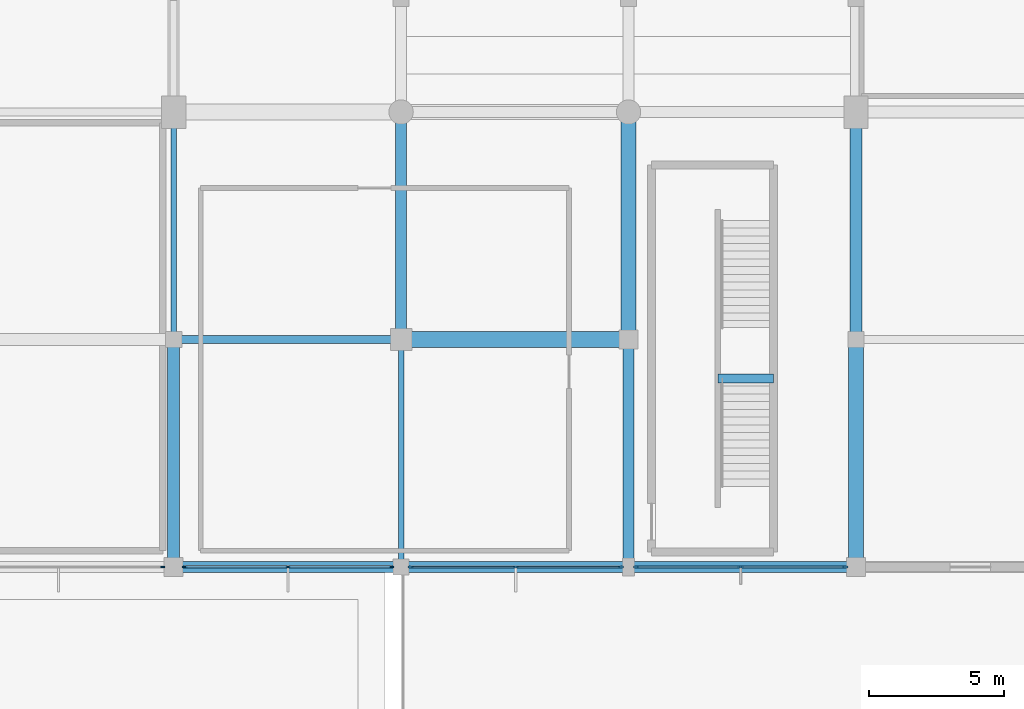
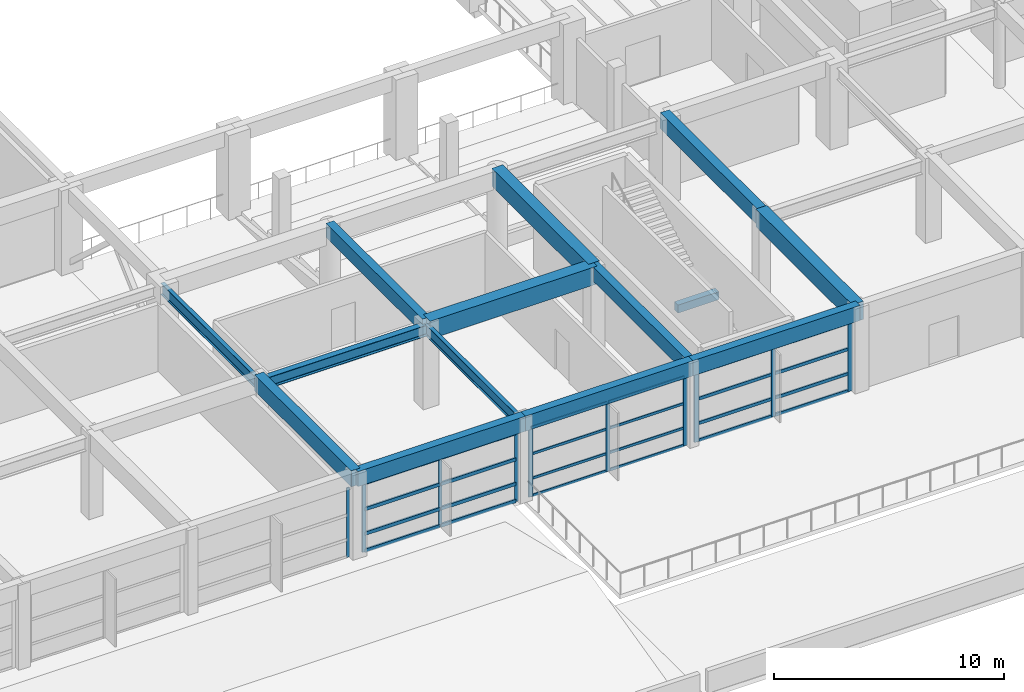
# One storey, part 14 of 60: 34 members, 14 beams, 4 elements without a shape of their own.
"""IFC4 building model written with IfcOpenShell, lengths in metres."""

from ifc_helpers import new_model, si_unit, direction, frame, origin, origin_2d, place, context, subcontext, project, spatial, rectangle, i_section, extrude, material, material_profile, profile_set, type_object, element, aggregate, save


model = new_model("IFC4")

# Units and contexts
model_context = context("Model", 3, precision=1e-05, world=origin(), true_north=direction((0.0, 1.0)))
body_context = subcontext(model_context, "Body", "Model", "MODEL_VIEW")
ifc_project = project(units=[si_unit("LENGTHUNIT", "METRE"), si_unit("AREAUNIT", "SQUARE_METRE"), si_unit("VOLUMEUNIT", "CUBIC_METRE"), si_unit("PLANEANGLEUNIT", "RADIAN"), si_unit("MASSUNIT", "GRAM", prefix="KILO")], contexts=[model_context])

# Site, building, storey
site_placement = place(None, origin())
site = spatial("IfcSite", under=ifc_project, at=site_placement, CompositionType="ELEMENT")
building_placement = place(site_placement, origin())
building = spatial("IfcBuilding", under=site, at=building_placement, Name="Xuanlan Plaza Opera House", CompositionType="ELEMENT")
storey_placement = place(building_placement, frame((0.0, 0.0, 9.89990234375)))
storey = spatial("IfcBuildingStorey", under=building, at=storey_placement, Name="L02", CompositionType="ELEMENT", Elevation=9.89990234375)

# Curtain wall, member
ifc_material_1 = material(Name="Anodised Aluminium 6063-T6 and Low-E Glass", Category="aluminium")
curtain_wall_type_1 = type_object("IfcCurtainWallType", Name="ENV-CW-CW-06", PredefinedType="USERDEFINED", material=ifc_material_1)
curtain_wall_1_placement = place(storey_placement, origin())
curtain_wall_1 = element("IfcCurtainWall", 1, at=curtain_wall_1_placement, inside=storey, type_object=curtain_wall_type_1, Name="Acoustic Glazed Wall L02-007", ObjectType="ACOUSTIC GLAZED WALL", PredefinedType="USERDEFINED")
ifc_material_2 = material(Name="Anodised Aluminium 6063-T6", Category="aluminium")
ifc_material_profile_1 = material_profile(ifc_material_2, rectangle(XDim=0.06494140625, YDim=0.159912109375, at=origin_2d()), Name="ALU-M 65x160")
ifc_profile_set_1 = profile_set([ifc_material_profile_1], Name="Anodised Aluminium 6063-T6")
member_type_1 = type_object("IfcMemberType", Name="ENV-CWM-01", PredefinedType="MULLION", material=ifc_profile_set_1)
member_1_placement = place(storey_placement, frame((66.797607421875, 16.800048828125, 0.0), z_axis=(0.0, 0.0, 1.0), x_axis=(0.0, 1.0, 0.0)))
member_1 = element("IfcMember", 2, at=member_1_placement, type_object=member_type_1, Name="CW-06 mullion 3", PredefinedType="MULLION", context=body_context, shape_type="SweptSolid", body=[
    extrude(rectangle(XDim=0.06494140625, YDim=0.159912109375, at=origin_2d()), origin(), (0.0, 0.0, 1.0), 3.68017578125),
])
aggregate(curtain_wall_1, [member_1])

# Curtain wall, members
curtain_wall_type_2 = type_object("IfcCurtainWallType", Name="ENV-CW-CW-05", PredefinedType="USERDEFINED", material=ifc_material_1)
curtain_wall_2_placement = place(storey_placement, origin())
curtain_wall_2 = element("IfcCurtainWall", 3, at=curtain_wall_2_placement, inside=storey, type_object=curtain_wall_type_2, Name="Acoustic Glazed Wall L02-008", ObjectType="ACOUSTIC GLAZED WALL", PredefinedType="USERDEFINED")
ifc_material_profile_2 = material_profile(ifc_material_2, rectangle(XDim=0.070068359375, YDim=0.179931640625, at=origin_2d()), Name="ALU-M 70x180")
ifc_profile_set_2 = profile_set([ifc_material_profile_2], Name="Anodised Aluminium 6063-T6")
member_type_2 = type_object("IfcMemberType", Name="ENV-CWM-02", PredefinedType="MULLION", material=ifc_profile_set_2)
member_2_placement = place(storey_placement, frame((67.60498046875, 16.800048828125, 0.0), z_axis=(0.0, 0.0, 1.0), x_axis=(0.0, 1.0, 0.0)))
member_2 = element("IfcMember", 4, at=member_2_placement, type_object=member_type_2, Name="CW-05 mullion 1", PredefinedType="MULLION", context=body_context, shape_type="SweptSolid", body=[
    extrude(rectangle(XDim=0.070068359375, YDim=0.179931640625, at=origin_2d()), origin(), (0.0, 0.0, 1.0), 3.68017578125),
])
member_3_placement = place(storey_placement, frame((71.425048828125, 16.800048828125, 0.0), z_axis=(0.0, 0.0, 1.0), x_axis=(0.0, 1.0, 0.0)))
member_3 = element("IfcMember", 5, at=member_3_placement, type_object=member_type_2, Name="CW-05 mullion 2", PredefinedType="MULLION", context=body_context, shape_type="SweptSolid", body=[
    extrude(rectangle(XDim=0.070068359375, YDim=0.179931640625, at=origin_2d()), origin(), (0.0, 0.0, 1.0), 3.68017578125),
])
member_4_placement = place(storey_placement, frame((75.2451171875, 16.800048828125, 0.0), z_axis=(0.0, 0.0, 1.0), x_axis=(0.0, 1.0, 0.0)))
member_4 = element("IfcMember", 6, at=member_4_placement, type_object=member_type_2, Name="CW-05 mullion 3", PredefinedType="MULLION", context=body_context, shape_type="SweptSolid", body=[
    extrude(rectangle(XDim=0.070068359375, YDim=0.179931640625, at=origin_2d()), origin(), (0.0, 0.0, 1.0), 3.68017578125),
])

curtain_wall_3_placement = place(storey_placement, origin())
curtain_wall_3 = element("IfcCurtainWall", 7, at=curtain_wall_3_placement, inside=storey, type_object=curtain_wall_type_1, Name="Acoustic Glazed Wall L02-009", ObjectType="ACOUSTIC GLAZED WALL", PredefinedType="USERDEFINED")
ifc_material_profile_3 = material_profile(ifc_material_2, rectangle(XDim=0.074951171875, YDim=0.199951171875, at=origin_2d()), Name="ALU-M 75x200")
ifc_profile_set_3 = profile_set([ifc_material_profile_3], Name="Anodised Aluminium 6063-T6")
member_type_3 = type_object("IfcMemberType", Name="ENV-CWM-03", PredefinedType="MULLION", material=ifc_profile_set_3)
member_5_placement = place(storey_placement, frame((75.95751953125, 16.800048828125, 0.0), z_axis=(0.0, 0.0, 1.0), x_axis=(0.0, 1.0, 0.0)))
member_5 = element("IfcMember", 8, at=member_5_placement, type_object=member_type_3, Name="CW-06 mullion 1", PredefinedType="MULLION", context=body_context, shape_type="SweptSolid", body=[
    extrude(rectangle(XDim=0.074951171875, YDim=0.199951171875, at=origin_2d()), origin(), (0.0, 0.0, 1.0), 3.68017578125),
])
member_6_placement = place(storey_placement, frame((79.83740234375, 16.800048828125, 0.0), z_axis=(0.0, 0.0, 1.0), x_axis=(0.0, 1.0, 0.0)))
member_6 = element("IfcMember", 9, at=member_6_placement, type_object=member_type_3, Name="CW-06 mullion 2", PredefinedType="MULLION", context=body_context, shape_type="SweptSolid", body=[
    extrude(rectangle(XDim=0.074951171875, YDim=0.199951171875, at=origin_2d()), origin(), (0.0, 0.0, 1.0), 3.68017578125),
])
member_7_placement = place(storey_placement, frame((83.717529296875, 16.800048828125, 0.0), z_axis=(0.0, 0.0, 1.0), x_axis=(0.0, 1.0, 0.0)))
member_7 = element("IfcMember", 10, at=member_7_placement, type_object=member_type_3, Name="CW-06 mullion 3", PredefinedType="MULLION", context=body_context, shape_type="SweptSolid", body=[
    extrude(rectangle(XDim=0.074951171875, YDim=0.199951171875, at=origin_2d()), origin(), (0.0, 0.0, 1.0), 3.68017578125),
])

curtain_wall_4_placement = place(storey_placement, origin())
curtain_wall_4 = element("IfcCurtainWall", 11, at=curtain_wall_4_placement, inside=storey, type_object=curtain_wall_type_2, Name="Acoustic Glazed Wall L02-010", ObjectType="ACOUSTIC GLAZED WALL", PredefinedType="USERDEFINED")
ifc_material_profile_4 = material_profile(ifc_material_2, rectangle(XDim=0.080078125, YDim=0.219970703125, at=origin_2d()), Name="ALU-M 80x220")
ifc_profile_set_4 = profile_set([ifc_material_profile_4], Name="Anodised Aluminium 6063-T6")
member_type_4 = type_object("IfcMemberType", Name="ENV-CWM-04", PredefinedType="MULLION", material=ifc_profile_set_4)
member_8_placement = place(storey_placement, frame((84.284912109375, 16.800048828125, 0.0), z_axis=(0.0, 0.0, 1.0), x_axis=(0.0, 1.0, 0.0)))
member_8 = element("IfcMember", 12, at=member_8_placement, type_object=member_type_4, Name="CW-05 mullion 1", PredefinedType="MULLION", context=body_context, shape_type="SweptSolid", body=[
    extrude(rectangle(XDim=0.080078125, YDim=0.219970703125, at=origin_2d()), origin(), (0.0, 0.0, 1.0), 3.68017578125),
])
member_9_placement = place(storey_placement, frame((88.137451171875, 16.800048828125, 0.0), z_axis=(0.0, 0.0, 1.0), x_axis=(0.0, 1.0, 0.0)))
member_9 = element("IfcMember", 13, at=member_9_placement, type_object=member_type_4, Name="CW-05 mullion 2", PredefinedType="MULLION", context=body_context, shape_type="SweptSolid", body=[
    extrude(rectangle(XDim=0.080078125, YDim=0.219970703125, at=origin_2d()), origin(), (0.0, 0.0, 1.0), 3.68017578125),
])
member_10_placement = place(storey_placement, frame((91.989990234375, 16.800048828125, 0.0), z_axis=(0.0, 0.0, 1.0), x_axis=(0.0, 1.0, 0.0)))
member_10 = element("IfcMember", 14, at=member_10_placement, type_object=member_type_4, Name="CW-05 mullion 3", PredefinedType="MULLION", context=body_context, shape_type="SweptSolid", body=[
    extrude(rectangle(XDim=0.080078125, YDim=0.219970703125, at=origin_2d()), origin(), (0.0, 0.0, 1.0), 3.68017578125),
])

# Member
ifc_material_profile_5 = material_profile(ifc_material_2, rectangle(XDim=0.070068359375, YDim=0.135009765625, at=origin_2d()), Name="ALU-T 70x135")
ifc_profile_set_5 = profile_set([ifc_material_profile_5], Name="Anodised Aluminium 6063-T6")
member_type_5 = type_object("IfcMemberType", Name="ENV-CWT-02", PredefinedType="USERDEFINED", material=ifc_profile_set_5)
member_11_placement = place(storey_placement, frame((75.9951171875, 16.800048828125, 0.03515625), z_axis=(1.0, 0.0, 0.0), x_axis=(0.0, 1.0, 0.0)))
member_11 = element("IfcMember", 15, at=member_11_placement, type_object=member_type_5, Name="CW-06 transom 1.1", ObjectType="TRANSOM", PredefinedType="USERDEFINED", context=body_context, shape_type="SweptSolid", body=[
    extrude(rectangle(XDim=0.070068359375, YDim=0.135009765625, at=origin_2d()), origin(), (0.0, 0.0, 1.0), 3.804931640625),
])

member_12_placement = place(storey_placement, frame((75.9951171875, 16.800048828125, 0.9501953125), z_axis=(1.0, 0.0, 0.0), x_axis=(0.0, 1.0, 0.0)))
member_12 = element("IfcMember", 16, at=member_12_placement, type_object=member_type_5, Name="CW-06 transom 1.2", ObjectType="TRANSOM", PredefinedType="USERDEFINED", context=body_context, shape_type="SweptSolid", body=[
    extrude(rectangle(XDim=0.070068359375, YDim=0.135009765625, at=origin_2d()), origin(), (0.0, 0.0, 1.0), 3.804931640625),
])

member_13_placement = place(storey_placement, frame((75.9951171875, 16.800048828125, 2.25), z_axis=(1.0, 0.0, 0.0), x_axis=(0.0, 1.0, 0.0)))
member_13 = element("IfcMember", 17, at=member_13_placement, type_object=member_type_5, Name="CW-06 transom 1.3", ObjectType="TRANSOM", PredefinedType="USERDEFINED", context=body_context, shape_type="SweptSolid", body=[
    extrude(rectangle(XDim=0.070068359375, YDim=0.135009765625, at=origin_2d()), origin(), (0.0, 0.0, 1.0), 3.804931640625),
])

member_14_placement = place(storey_placement, frame((75.9951171875, 16.800048828125, 3.64501953125), z_axis=(1.0, 0.0, 0.0), x_axis=(0.0, 1.0, 0.0)))
member_14 = element("IfcMember", 18, at=member_14_placement, type_object=member_type_5, Name="CW-06 transom 1.4", ObjectType="TRANSOM", PredefinedType="USERDEFINED", context=body_context, shape_type="SweptSolid", body=[
    extrude(rectangle(XDim=0.070068359375, YDim=0.135009765625, at=origin_2d()), origin(), (0.0, 0.0, 1.0), 3.804931640625),
])

member_15_placement = place(storey_placement, frame((79.875, 16.800048828125, 0.03515625), z_axis=(1.0, 0.0, 0.0), x_axis=(0.0, 1.0, 0.0)))
member_15 = element("IfcMember", 19, at=member_15_placement, type_object=member_type_5, Name="CW-06 transom 2.1", ObjectType="TRANSOM", PredefinedType="USERDEFINED", context=body_context, shape_type="SweptSolid", body=[
    extrude(rectangle(XDim=0.070068359375, YDim=0.135009765625, at=origin_2d()), origin(), (0.0, 0.0, 1.0), 3.804931640625),
])

member_16_placement = place(storey_placement, frame((79.875, 16.800048828125, 0.9501953125), z_axis=(1.0, 0.0, 0.0), x_axis=(0.0, 1.0, 0.0)))
member_16 = element("IfcMember", 20, at=member_16_placement, type_object=member_type_5, Name="CW-06 transom 2.2", ObjectType="TRANSOM", PredefinedType="USERDEFINED", context=body_context, shape_type="SweptSolid", body=[
    extrude(rectangle(XDim=0.070068359375, YDim=0.135009765625, at=origin_2d()), origin(), (0.0, 0.0, 1.0), 3.804931640625),
])

member_17_placement = place(storey_placement, frame((79.875, 16.800048828125, 2.25), z_axis=(1.0, 0.0, 0.0), x_axis=(0.0, 1.0, 0.0)))
member_17 = element("IfcMember", 21, at=member_17_placement, type_object=member_type_5, Name="CW-06 transom 2.3", ObjectType="TRANSOM", PredefinedType="USERDEFINED", context=body_context, shape_type="SweptSolid", body=[
    extrude(rectangle(XDim=0.070068359375, YDim=0.135009765625, at=origin_2d()), origin(), (0.0, 0.0, 1.0), 3.804931640625),
])

member_18_placement = place(storey_placement, frame((79.875, 16.800048828125, 3.64501953125), z_axis=(1.0, 0.0, 0.0), x_axis=(0.0, 1.0, 0.0)))
member_18 = element("IfcMember", 22, at=member_18_placement, type_object=member_type_5, Name="CW-06 transom 2.4", ObjectType="TRANSOM", PredefinedType="USERDEFINED", context=body_context, shape_type="SweptSolid", body=[
    extrude(rectangle(XDim=0.070068359375, YDim=0.135009765625, at=origin_2d()), origin(), (0.0, 0.0, 1.0), 3.804931640625),
])

aggregate(curtain_wall_3, [member_5, member_6, member_7, member_11, member_12, member_13, member_14, member_15, member_16, member_17, member_18])

ifc_material_profile_6 = material_profile(ifc_material_2, rectangle(XDim=0.080078125, YDim=0.1650390625, at=origin_2d()), Name="ALU-T 80x165")
ifc_profile_set_6 = profile_set([ifc_material_profile_6], Name="Anodised Aluminium 6063-T6")
member_type_6 = type_object("IfcMemberType", Name="ENV-CWT-04", PredefinedType="USERDEFINED", material=ifc_profile_set_6)
member_19_placement = place(storey_placement, frame((84.324951171875, 16.800048828125, 0.0400390625), z_axis=(1.0, 0.0, 0.0), x_axis=(0.0, 1.0, 0.0)))
member_19 = element("IfcMember", 23, at=member_19_placement, type_object=member_type_6, Name="CW-05 transom 1.1", ObjectType="TRANSOM", PredefinedType="USERDEFINED", context=body_context, shape_type="SweptSolid", body=[
    extrude(rectangle(XDim=0.080078125, YDim=0.1650390625, at=origin_2d()), origin(), (0.0, 0.0, 1.0), 3.7724609375),
])

member_20_placement = place(storey_placement, frame((84.324951171875, 16.800048828125, 0.9501953125), z_axis=(1.0, 0.0, 0.0), x_axis=(0.0, 1.0, 0.0)))
member_20 = element("IfcMember", 24, at=member_20_placement, type_object=member_type_6, Name="CW-05 transom 1.2", ObjectType="TRANSOM", PredefinedType="USERDEFINED", context=body_context, shape_type="SweptSolid", body=[
    extrude(rectangle(XDim=0.080078125, YDim=0.1650390625, at=origin_2d()), origin(), (0.0, 0.0, 1.0), 3.7724609375),
])

member_21_placement = place(storey_placement, frame((84.324951171875, 16.800048828125, 2.25), z_axis=(1.0, 0.0, 0.0), x_axis=(0.0, 1.0, 0.0)))
member_21 = element("IfcMember", 25, at=member_21_placement, type_object=member_type_6, Name="CW-05 transom 1.3", ObjectType="TRANSOM", PredefinedType="USERDEFINED", context=body_context, shape_type="SweptSolid", body=[
    extrude(rectangle(XDim=0.080078125, YDim=0.1650390625, at=origin_2d()), origin(), (0.0, 0.0, 1.0), 3.7724609375),
])

member_22_placement = place(storey_placement, frame((84.324951171875, 16.800048828125, 3.64013671875), z_axis=(1.0, 0.0, 0.0), x_axis=(0.0, 1.0, 0.0)))
member_22 = element("IfcMember", 26, at=member_22_placement, type_object=member_type_6, Name="CW-05 transom 1.4", ObjectType="TRANSOM", PredefinedType="USERDEFINED", context=body_context, shape_type="SweptSolid", body=[
    extrude(rectangle(XDim=0.080078125, YDim=0.1650390625, at=origin_2d()), origin(), (0.0, 0.0, 1.0), 3.7724609375),
])

member_23_placement = place(storey_placement, frame((88.177490234375, 16.800048828125, 0.0400390625), z_axis=(1.0, 0.0, 0.0), x_axis=(0.0, 1.0, 0.0)))
member_23 = element("IfcMember", 27, at=member_23_placement, type_object=member_type_6, Name="CW-05 transom 2.1", ObjectType="TRANSOM", PredefinedType="USERDEFINED", context=body_context, shape_type="SweptSolid", body=[
    extrude(rectangle(XDim=0.080078125, YDim=0.1650390625, at=origin_2d()), origin(), (0.0, 0.0, 1.0), 3.7724609375),
])

member_24_placement = place(storey_placement, frame((88.177490234375, 16.800048828125, 0.9501953125), z_axis=(1.0, 0.0, 0.0), x_axis=(0.0, 1.0, 0.0)))
member_24 = element("IfcMember", 28, at=member_24_placement, type_object=member_type_6, Name="CW-05 transom 2.2", ObjectType="TRANSOM", PredefinedType="USERDEFINED", context=body_context, shape_type="SweptSolid", body=[
    extrude(rectangle(XDim=0.080078125, YDim=0.1650390625, at=origin_2d()), origin(), (0.0, 0.0, 1.0), 3.7724609375),
])

member_25_placement = place(storey_placement, frame((88.177490234375, 16.800048828125, 2.25), z_axis=(1.0, 0.0, 0.0), x_axis=(0.0, 1.0, 0.0)))
member_25 = element("IfcMember", 29, at=member_25_placement, type_object=member_type_6, Name="CW-05 transom 2.3", ObjectType="TRANSOM", PredefinedType="USERDEFINED", context=body_context, shape_type="SweptSolid", body=[
    extrude(rectangle(XDim=0.080078125, YDim=0.1650390625, at=origin_2d()), origin(), (0.0, 0.0, 1.0), 3.7724609375),
])

member_26_placement = place(storey_placement, frame((88.177490234375, 16.800048828125, 3.64013671875), z_axis=(1.0, 0.0, 0.0), x_axis=(0.0, 1.0, 0.0)))
member_26 = element("IfcMember", 30, at=member_26_placement, type_object=member_type_6, Name="CW-05 transom 2.4", ObjectType="TRANSOM", PredefinedType="USERDEFINED", context=body_context, shape_type="SweptSolid", body=[
    extrude(rectangle(XDim=0.080078125, YDim=0.1650390625, at=origin_2d()), origin(), (0.0, 0.0, 1.0), 3.7724609375),
])

aggregate(curtain_wall_4, [member_8, member_9, member_10, member_19, member_20, member_21, member_22, member_23, member_24, member_25, member_26])

ifc_material_profile_7 = material_profile(ifc_material_2, rectangle(XDim=0.090087890625, YDim=0.179931640625, at=origin_2d()), Name="ALU-T 90x180")
ifc_profile_set_7 = profile_set([ifc_material_profile_7], Name="Anodised Aluminium 6063-T6")
member_type_7 = type_object("IfcMemberType", Name="ENV-CWT-05", PredefinedType="USERDEFINED", material=ifc_profile_set_7)
member_27_placement = place(storey_placement, frame((67.639892578125, 16.800048828125, 0.045166015625), z_axis=(1.0, 0.0, 0.0), x_axis=(0.0, 1.0, 0.0)))
member_27 = element("IfcMember", 31, at=member_27_placement, type_object=member_type_7, Name="CW-05 transom 1.1", ObjectType="TRANSOM", PredefinedType="USERDEFINED", context=body_context, shape_type="SweptSolid", body=[
    extrude(rectangle(XDim=0.090087890625, YDim=0.179931640625, at=origin_2d()), origin(), (0.0, 0.0, 1.0), 3.75),
])

member_28_placement = place(storey_placement, frame((67.639892578125, 16.800048828125, 0.9501953125), z_axis=(1.0, 0.0, 0.0), x_axis=(0.0, 1.0, 0.0)))
member_28 = element("IfcMember", 32, at=member_28_placement, type_object=member_type_7, Name="CW-05 transom 1.2", ObjectType="TRANSOM", PredefinedType="USERDEFINED", context=body_context, shape_type="SweptSolid", body=[
    extrude(rectangle(XDim=0.090087890625, YDim=0.179931640625, at=origin_2d()), origin(), (0.0, 0.0, 1.0), 3.75),
])

member_29_placement = place(storey_placement, frame((67.639892578125, 16.800048828125, 2.25), z_axis=(1.0, 0.0, 0.0), x_axis=(0.0, 1.0, 0.0)))
member_29 = element("IfcMember", 33, at=member_29_placement, type_object=member_type_7, Name="CW-05 transom 1.3", ObjectType="TRANSOM", PredefinedType="USERDEFINED", context=body_context, shape_type="SweptSolid", body=[
    extrude(rectangle(XDim=0.090087890625, YDim=0.179931640625, at=origin_2d()), origin(), (0.0, 0.0, 1.0), 3.75),
])

member_30_placement = place(storey_placement, frame((67.639892578125, 16.800048828125, 3.635009765625), z_axis=(1.0, 0.0, 0.0), x_axis=(0.0, 1.0, 0.0)))
member_30 = element("IfcMember", 34, at=member_30_placement, type_object=member_type_7, Name="CW-05 transom 1.4", ObjectType="TRANSOM", PredefinedType="USERDEFINED", context=body_context, shape_type="SweptSolid", body=[
    extrude(rectangle(XDim=0.090087890625, YDim=0.179931640625, at=origin_2d()), origin(), (0.0, 0.0, 1.0), 3.75),
])

member_31_placement = place(storey_placement, frame((71.4599609375, 16.800048828125, 0.045166015625), z_axis=(1.0, 0.0, 0.0), x_axis=(0.0, 1.0, 0.0)))
member_31 = element("IfcMember", 35, at=member_31_placement, type_object=member_type_7, Name="CW-05 transom 2.1", ObjectType="TRANSOM", PredefinedType="USERDEFINED", context=body_context, shape_type="SweptSolid", body=[
    extrude(rectangle(XDim=0.090087890625, YDim=0.179931640625, at=origin_2d()), origin(), (0.0, 0.0, 1.0), 3.75),
])

member_32_placement = place(storey_placement, frame((71.4599609375, 16.800048828125, 0.9501953125), z_axis=(1.0, 0.0, 0.0), x_axis=(0.0, 1.0, 0.0)))
member_32 = element("IfcMember", 36, at=member_32_placement, type_object=member_type_7, Name="CW-05 transom 2.2", ObjectType="TRANSOM", PredefinedType="USERDEFINED", context=body_context, shape_type="SweptSolid", body=[
    extrude(rectangle(XDim=0.090087890625, YDim=0.179931640625, at=origin_2d()), origin(), (0.0, 0.0, 1.0), 3.75),
])

member_33_placement = place(storey_placement, frame((71.4599609375, 16.800048828125, 2.25), z_axis=(1.0, 0.0, 0.0), x_axis=(0.0, 1.0, 0.0)))
member_33 = element("IfcMember", 37, at=member_33_placement, type_object=member_type_7, Name="CW-05 transom 2.3", ObjectType="TRANSOM", PredefinedType="USERDEFINED", context=body_context, shape_type="SweptSolid", body=[
    extrude(rectangle(XDim=0.090087890625, YDim=0.179931640625, at=origin_2d()), origin(), (0.0, 0.0, 1.0), 3.75),
])

member_34_placement = place(storey_placement, frame((71.4599609375, 16.800048828125, 3.635009765625), z_axis=(1.0, 0.0, 0.0), x_axis=(0.0, 1.0, 0.0)))
member_34 = element("IfcMember", 38, at=member_34_placement, type_object=member_type_7, Name="CW-05 transom 2.4", ObjectType="TRANSOM", PredefinedType="USERDEFINED", context=body_context, shape_type="SweptSolid", body=[
    extrude(rectangle(XDim=0.090087890625, YDim=0.179931640625, at=origin_2d()), origin(), (0.0, 0.0, 1.0), 3.75),
])

aggregate(curtain_wall_2, [member_2, member_3, member_4, member_27, member_28, member_29, member_30, member_31, member_32, member_33, member_34])

# Beams
ifc_material_3 = material(Name="Concrete C50", Category="concrete")
ifc_material_profile_8 = material_profile(ifc_material_3, rectangle(XDim=0.60009765625, YDim=0.949951171875, at=origin_2d()), Name="RC-BM 600x950")
ifc_profile_set_8 = profile_set([ifc_material_profile_8], Name="Concrete C50")
beam_type_1 = type_object("IfcBeamType", Name="STR-BM-B-01", PredefinedType="BEAM", material=ifc_profile_set_8)
beam_1_placement = place(storey_placement, frame((75.60009765625, 25.199951171875, 4.025146484375), z_axis=(1.0, 0.0, 0.0), x_axis=(0.0, 1.0, 0.0)))
element("IfcBeam", 39, at=beam_1_placement, inside=storey, type_object=beam_type_1, Name="Grid Beam X L02 10-11/D", PredefinedType="BEAM", context=body_context, shape_type="SweptSolid", body=[
    extrude(rectangle(XDim=0.60009765625, YDim=0.949951171875, at=origin_2d()), origin(), (0.0, 0.0, 1.0), 8.39990234375),
])
ifc_material_profile_9 = material_profile(ifc_material_3, rectangle(XDim=0.550048828125, YDim=0.949951171875, at=origin_2d()), Name="RC-BM 550x950")
ifc_profile_set_9 = profile_set([ifc_material_profile_9], Name="Concrete C50")
beam_type_2 = type_object("IfcBeamType", Name="STR-BM-B-02", PredefinedType="BEAM", material=ifc_profile_set_9)
beam_2_placement = place(storey_placement, frame((84.0, 25.199951171875, 4.025146484375), z_axis=(0.0, 1.0, 0.0), x_axis=(-1.0, 0.0, 0.0)))
element("IfcBeam", 40, at=beam_2_placement, inside=storey, type_object=beam_type_2, Name="Grid Beam Y L02 11/D-E", PredefinedType="BEAM", context=body_context, shape_type="SweptSolid", body=[
    extrude(rectangle(XDim=0.550048828125, YDim=0.949951171875, at=origin_2d()), origin(), (0.0, 0.0, 1.0), 8.400146484375),
])
beam_3_placement = place(storey_placement, frame((92.39990234375, 16.800048828125, 4.025146484375), z_axis=(0.0, 1.0, 0.0), x_axis=(-1.0, 0.0, 0.0)))
element("IfcBeam", 41, at=beam_3_placement, inside=storey, type_object=beam_type_2, Name="Grid Beam Y L02 12/C-D", PredefinedType="BEAM", context=body_context, shape_type="SweptSolid", body=[
    extrude(rectangle(XDim=0.550048828125, YDim=0.949951171875, at=origin_2d()), origin(), (0.0, 0.0, 1.0), 8.39990234375),
])
ifc_material_4 = material(Name="Concrete C40", Category="concrete")
ifc_material_profile_10 = material_profile(ifc_material_4, rectangle(XDim=0.449951171875, YDim=0.85009765625, at=origin_2d()), Name="RC-BM 450x850")
ifc_profile_set_10 = profile_set([ifc_material_profile_10], Name="Concrete C40")
beam_type_3 = type_object("IfcBeamType", Name="STR-BM-B-04", PredefinedType="BEAM", material=ifc_profile_set_10)
beam_4_placement = place(storey_placement, frame((67.199951171875, 16.800048828125, 4.0751953125), z_axis=(0.0, 1.0, 0.0), x_axis=(-1.0, 0.0, 0.0)))
element("IfcBeam", 42, at=beam_4_placement, inside=storey, type_object=beam_type_3, Name="Grid Beam Y L02 9/C-D", PredefinedType="BEAM", context=body_context, shape_type="SweptSolid", body=[
    extrude(rectangle(XDim=0.449951171875, YDim=0.85009765625, at=origin_2d()), origin(), (0.0, 0.0, 1.0), 8.39990234375),
])
beam_5_placement = place(storey_placement, frame((92.39990234375, 25.199951171875, 4.0751953125), z_axis=(0.0, 1.0, 0.0), x_axis=(-1.0, 0.0, 0.0)))
element("IfcBeam", 43, at=beam_5_placement, inside=storey, type_object=beam_type_3, Name="Grid Beam Y L02 12/D-E", PredefinedType="BEAM", context=body_context, shape_type="SweptSolid", body=[
    extrude(rectangle(XDim=0.449951171875, YDim=0.85009765625, at=origin_2d()), origin(), (0.0, 0.0, 1.0), 8.400146484375),
])
ifc_material_profile_11 = material_profile(ifc_material_4, rectangle(XDim=0.39990234375, YDim=0.75, at=origin_2d()), Name="RC-BM 400x750")
ifc_profile_set_11 = profile_set([ifc_material_profile_11], Name="Concrete C40")
beam_type_4 = type_object("IfcBeamType", Name="STR-BM-B-06", PredefinedType="BEAM", material=ifc_profile_set_11)
beam_6_placement = place(storey_placement, frame((75.60009765625, 25.199951171875, 4.125), z_axis=(0.0, 1.0, 0.0), x_axis=(-1.0, 0.0, 0.0)))
element("IfcBeam", 44, at=beam_6_placement, inside=storey, type_object=beam_type_4, Name="Grid Beam Y L02 10/D-E", PredefinedType="BEAM", context=body_context, shape_type="SweptSolid", body=[
    extrude(rectangle(XDim=0.39990234375, YDim=0.75, at=origin_2d()), origin(), (0.0, 0.0, 1.0), 8.400146484375),
])
beam_7_placement = place(storey_placement, frame((84.0, 16.800048828125, 4.125), z_axis=(0.0, 1.0, 0.0), x_axis=(-1.0, 0.0, 0.0)))
element("IfcBeam", 45, at=beam_7_placement, inside=storey, type_object=beam_type_4, Name="Grid Beam Y L02 11/C-D", PredefinedType="BEAM", context=body_context, shape_type="SweptSolid", body=[
    extrude(rectangle(XDim=0.39990234375, YDim=0.75, at=origin_2d()), origin(), (0.0, 0.0, 1.0), 8.39990234375),
])
ifc_material_profile_12 = material_profile(ifc_material_4, rectangle(XDim=0.320068359375, YDim=0.419921875, at=origin_2d()), Name="RC-LNT 320x420")
ifc_profile_set_12 = profile_set([ifc_material_profile_12], Name="Concrete C40")
beam_type_5 = type_object("IfcBeamType", Name="STR-BM-LN-04", PredefinedType="LINTEL", material=ifc_profile_set_12)
beam_8_placement = place(storey_placement, frame((87.300048828125, 23.760009765625, 1.840087890625), z_axis=(1.0, 0.0, 0.0), x_axis=(0.0, 1.0, 0.0)))
element("IfcBeam", 46, at=beam_8_placement, inside=storey, type_object=beam_type_5, Name="Stair Mid-Landing Trimmer Beam ST-P3 L02", PredefinedType="LINTEL", context=body_context, shape_type="SweptSolid", body=[
    extrude(rectangle(XDim=0.320068359375, YDim=0.419921875, at=origin_2d()), origin(), (0.0, 0.0, 1.0), 2.050048828125),
])
ifc_material_5 = material(Name="Steel Q355B", Category="steel")
ifc_material_profile_13 = material_profile(ifc_material_5, i_section(OverallWidth=0.199951171875, OverallDepth=0.60009765625, WebThickness=0.010986328125, FlangeThickness=0.01708984375, FilletRadius=0.02197265625, at=origin_2d()), Name="HN 600x200x11x17")
ifc_profile_set_13 = profile_set([ifc_material_profile_13], Name="Steel Q355B")
beam_type_6 = type_object("IfcBeamType", Name="STR-BM-SB-04", PredefinedType="BEAM", material=ifc_profile_set_13)
beam_9_placement = place(storey_placement, frame((67.199951171875, 25.199951171875, 3.93505859375), z_axis=(0.0, 1.0, 0.0), x_axis=(-1.0, 0.0, 0.0)))
element("IfcBeam", 47, at=beam_9_placement, inside=storey, type_object=beam_type_6, Name="Grid Beam Y L02 9/D-E", PredefinedType="BEAM", context=body_context, shape_type="SweptSolid", body=[
    extrude(i_section(OverallWidth=0.199951171875, OverallDepth=0.60009765625, WebThickness=0.010986328125, FlangeThickness=0.01708984375, FilletRadius=0.02197265625, at=origin_2d()), origin(), (0.0, 0.0, 1.0), 8.400146484375),
])
beam_10_placement = place(storey_placement, frame((75.60009765625, 16.800048828125, 3.93505859375), z_axis=(0.0, 1.0, 0.0), x_axis=(-1.0, 0.0, 0.0)))
element("IfcBeam", 48, at=beam_10_placement, inside=storey, type_object=beam_type_6, Name="Grid Beam Y L02 10/C-D", PredefinedType="BEAM", context=body_context, shape_type="SweptSolid", body=[
    extrude(i_section(OverallWidth=0.199951171875, OverallDepth=0.60009765625, WebThickness=0.010986328125, FlangeThickness=0.01708984375, FilletRadius=0.02197265625, at=origin_2d()), origin(), (0.0, 0.0, 1.0), 8.39990234375),
])
ifc_material_profile_14 = material_profile(ifc_material_5, i_section(OverallWidth=0.300048828125, OverallDepth=0.587890625, WebThickness=0.011962890625, FlangeThickness=0.02001953125, FilletRadius=0.02392578125, at=origin_2d()), Name="HM 588x300x12x20")
ifc_profile_set_14 = profile_set([ifc_material_profile_14], Name="Steel Q355B")
beam_type_7 = type_object("IfcBeamType", Name="STR-BM-SB-06", PredefinedType="BEAM", material=ifc_profile_set_14)
beam_11_placement = place(storey_placement, frame((67.199951171875, 25.199951171875, 3.941162109375), z_axis=(1.0, 0.0, 0.0), x_axis=(0.0, 1.0, 0.0)))
element("IfcBeam", 49, at=beam_11_placement, inside=storey, type_object=beam_type_7, Name="Grid Beam X L02 9-10/D", PredefinedType="BEAM", context=body_context, shape_type="SweptSolid", body=[
    extrude(i_section(OverallWidth=0.300048828125, OverallDepth=0.587890625, WebThickness=0.011962890625, FlangeThickness=0.02001953125, FilletRadius=0.02392578125, at=origin_2d()), origin(), (0.0, 0.0, 1.0), 8.400146484375),
])
ifc_material_profile_15 = material_profile(ifc_material_4, rectangle(XDim=0.39990234375, YDim=0.800048828125, at=origin_2d()), Name="RC-SPD 400x800")
ifc_profile_set_15 = profile_set([ifc_material_profile_15], Name="Concrete C40")
beam_type_8 = type_object("IfcBeamType", Name="STR-BM-SP-01", PredefinedType="SPANDREL", material=ifc_profile_set_15)
beam_12_placement = place(storey_placement, frame((67.199951171875, 16.800048828125, 4.10009765625), z_axis=(1.0, 0.0, 0.0), x_axis=(0.0, 1.0, 0.0)))
element("IfcBeam", 50, at=beam_12_placement, inside=storey, type_object=beam_type_8, Name="Grid Beam X L02 9-10/C", PredefinedType="SPANDREL", context=body_context, shape_type="SweptSolid", body=[
    extrude(rectangle(XDim=0.39990234375, YDim=0.800048828125, at=origin_2d()), origin(), (0.0, 0.0, 1.0), 8.400146484375),
])
for number, where, z_axis, x_axis, name in (
    (51, (75.60009765625, 16.800048828125, 4.10009765625), (1.0, 0.0, 0.0), (0.0, 1.0, 0.0), "Grid Beam X L02 10-11/C"),
    (52, (84.0, 16.800048828125, 4.10009765625), (1.0, 0.0, 0.0), (0.0, 1.0, 0.0), "Grid Beam X L02 11-12/C"),
):
    element("IfcBeam", number, at=place(storey_placement, frame(where, z_axis=z_axis, x_axis=x_axis)), inside=storey, type_object=beam_type_8, Name=name, PredefinedType="SPANDREL", context=body_context, shape_type="SweptSolid", body=[
        extrude(rectangle(XDim=0.39990234375, YDim=0.800048828125, at=origin_2d()), origin(), (0.0, 0.0, 1.0), 8.39990234375),
    ])

save(model, "model.ifc")
